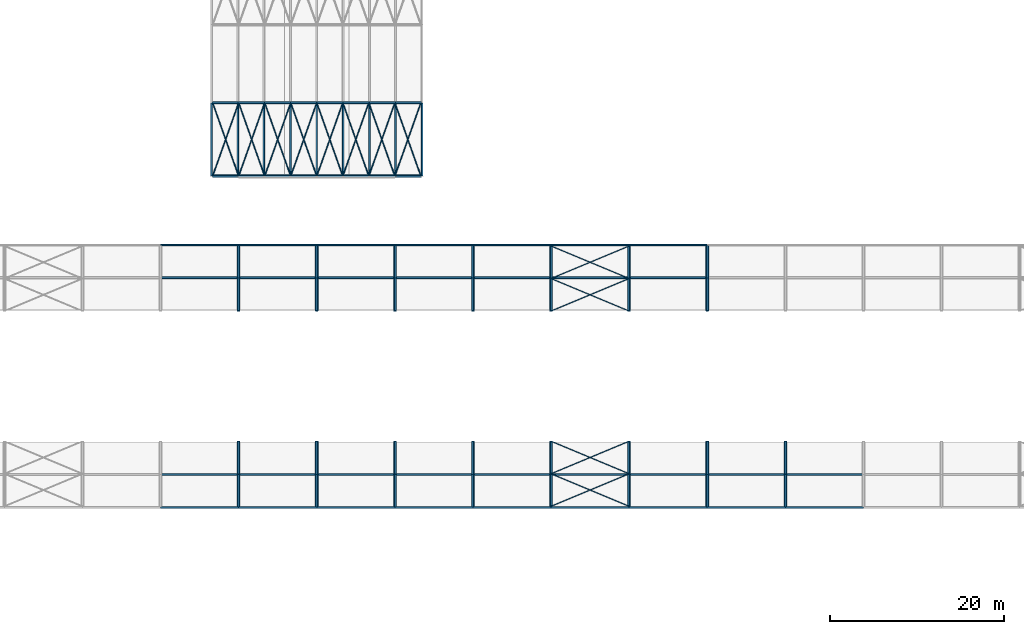
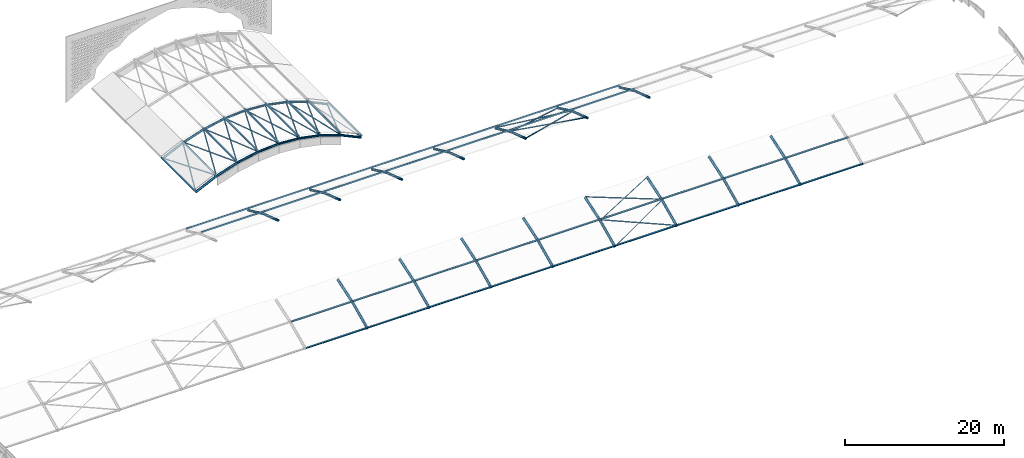
# One storey, part 15 of 54: 111 members.
"""IFC4 building model written with IfcOpenShell, lengths in metres."""

import ifcopenshell
import ifcopenshell.guid

model = None  # the IFC model being written
_history = None  # IfcOwnerHistory: only IFC2X3 demands one
_inside = {}  # id of a spatial element -> (the spatial element, [elements in it])
_under = {}  # id of a project, library or spatial element -> (it, [spatial elements below it])
_declared = {}  # id of a project -> (the project, [libraries it declares])
_typed = {}  # id of a type object -> (the type object, [elements of that type])
_made_of = {}  # id of a material, layer set ... -> (it, [elements and type objects made of it])


def new_model(schema):
    """Start an empty IFC model of exactly this schema.

    Asked for "IFC4X3", IfcOpenShell would pick the latest addendum, in which some entities
    have other attributes; the version numbers below select the first issue.
    IFC2X3 requires an IfcOwnerHistory on every rooted entity: one is made here for all.
    """
    global model, _history
    if schema == "IFC4X3":
        model = ifcopenshell.file(schema_version=(4, 3, 0, 0))
    else:
        model = ifcopenshell.file(schema=schema)
    _inside.clear()
    _under.clear()
    _declared.clear()
    _typed.clear()
    _made_of.clear()
    _history = None
    if model.schema == "IFC2X3":
        org = make("IfcOrganization", Name="unknown")
        user = make(
            "IfcPersonAndOrganization",
            ThePerson=make("IfcPerson", FamilyName="unknown"),
            TheOrganization=org,
        )
        app = make(
            "IfcApplication",
            ApplicationDeveloper=org,
            Version="unknown",
            ApplicationFullName="unknown",
            ApplicationIdentifier="unknown",
        )
        _history = make(
            "IfcOwnerHistory",
            OwningUser=user,
            OwningApplication=app,
            ChangeAction="ADDED",
            CreationDate=0,
        )
    return model


def make(cls, **values):
    """One entity of the class cls with the attributes given. An attribute that is None is left unset."""
    return model.create_entity(
        cls, **{name: value for name, value in values.items() if value is not None}
    )


def rooted(cls, **values):
    """An entity with a GlobalId (a new one), such as an element, a storey or a relation."""
    return make(cls, GlobalId=ifcopenshell.guid.new(), OwnerHistory=_history, **values)


def si_unit(unit_type, name, prefix=None):
    """IfcSIUnit, for example si_unit("LENGTHUNIT", "METRE", prefix="MILLI")."""
    return make("IfcSIUnit", UnitType=unit_type, Prefix=prefix, Name=name)


def assignment(units):
    """IfcUnitAssignment: the units of a project."""
    return None if units is None else make("IfcUnitAssignment", Units=units)


def point(xyz):
    """IfcCartesianPoint."""
    return None if xyz is None else make("IfcCartesianPoint", Coordinates=xyz)


def direction(xyz):
    """IfcDirection."""
    return None if xyz is None else make("IfcDirection", DirectionRatios=xyz)


def frame(location, z_axis=None, x_axis=None):
    """IfcAxis2Placement3D, a coordinate frame: its origin and axes. An axis left out is left unset."""
    return make(
        "IfcAxis2Placement3D",
        Location=point(location),
        Axis=direction(z_axis),
        RefDirection=direction(x_axis),
    )


def frame_2d(location, x_axis=None):
    """IfcAxis2Placement2D, a coordinate frame in the plane: its origin and x axis."""
    return make(
        "IfcAxis2Placement2D", Location=point(location), RefDirection=direction(x_axis)
    )


def origin():
    """The frame at (0, 0, 0) with its axes left unset."""
    return frame((0.0, 0.0, 0.0))


def origin_2d():
    """The frame at (0, 0) in the plane with its x axis left unset."""
    return frame_2d((0.0, 0.0))


def place(relative_to, where):
    """IfcLocalPlacement: puts the frame where relative to a parent placement (None: the world)."""
    return make(
        "IfcLocalPlacement", PlacementRelTo=relative_to, RelativePlacement=where
    )


def context(
    kind, dimensions, precision=None, world=None, true_north=None, identifier=None
):
    """IfcGeometricRepresentationContext, for example the 3D "Model" context."""
    return make(
        "IfcGeometricRepresentationContext",
        ContextIdentifier=identifier,
        ContextType=kind,
        CoordinateSpaceDimension=dimensions,
        Precision=precision,
        WorldCoordinateSystem=world,
        TrueNorth=true_north,
    )


def subcontext(parent, identifier, kind, view, scale=None):
    """IfcGeometricRepresentationSubContext, for example "Body" below "Model"."""
    return make(
        "IfcGeometricRepresentationSubContext",
        ContextIdentifier=identifier,
        ContextType=kind,
        ParentContext=parent,
        TargetScale=scale,
        TargetView=view,
    )


def project(units=None, contexts=None):
    """IfcProject with its units and contexts."""
    return rooted(
        "IfcProject",
        Name="project",
        RepresentationContexts=contexts,
        UnitsInContext=assignment(units),
    )


def spatial(cls, under=None, at=None, **own):
    """A site, building, storey or space (cls), placed at a placement, below another one or the project."""
    s = rooted(cls, ObjectPlacement=at, **own)
    if under is not None:
        _under.setdefault(under.id(), (under, []))[1].append(s)
    return s


def profile(cls, at=None, kind="AREA", **sizes):
    """A parametric profile (cls). Its sizes go by their IFC names, for example OverallWidth=200.0."""
    return make(cls, ProfileType=kind, Position=at, **sizes)


def hollow_rectangle(**sizes):
    """IfcRectangleHollowProfileDef."""
    return profile("IfcRectangleHollowProfileDef", **sizes)


def hollow_circle(**sizes):
    """IfcCircleHollowProfileDef."""
    return profile("IfcCircleHollowProfileDef", **sizes)


def extrude(swept, where, along, depth):
    """IfcExtrudedAreaSolid: the profile swept, set in the frame where, extruded along a direction by depth."""
    return make(
        "IfcExtrudedAreaSolid",
        SweptArea=swept,
        Position=where,
        ExtrudedDirection=direction(along),
        Depth=depth,
    )


def shape(context_of_items, identifier, shape_type, items):
    """IfcShapeRepresentation: the items that make up one representation, for example the "Body"."""
    return make(
        "IfcShapeRepresentation",
        ContextOfItems=context_of_items,
        RepresentationIdentifier=identifier,
        RepresentationType=shape_type,
        Items=items,
    )


def material(Name=None, Category=None):
    """IfcMaterial."""
    return make("IfcMaterial", Name=Name, Category=Category)


def material_profile(
    of_material, cross_section, Name=None, Category=None, Priority=None
):
    """IfcMaterialProfile: a cross section and its material."""
    return make(
        "IfcMaterialProfile",
        Name=Name,
        Material=of_material,
        Profile=cross_section,
        Priority=Priority,
        Category=Category,
    )


def profile_set(profiles, Name=None, composite=None):
    """IfcMaterialProfileSet."""
    return make(
        "IfcMaterialProfileSet",
        Name=Name,
        MaterialProfiles=profiles,
        CompositeProfile=composite,
    )


def made_of(thing, what):
    """Note that an element or type object is made of a material, layer set ...; save() writes the relation."""
    if what is not None:
        _made_of.setdefault(what.id(), (what, []))[1].append(thing)
    return thing


def type_object(cls, material=None, **own):
    """A type object (cls), such as IfcWallType, which elements share."""
    return made_of(rooted(cls, **own), material)


def element(
    cls,
    number,
    at=None,
    inside=None,
    cuts=None,
    type_object=None,
    material=None,
    context=None,
    identifier="Body",
    shape_type=None,
    held_by="IfcProductDefinitionShape",
    body=None,
    shapes=None,
    **own,
):
    """One element of the class cls, such as IfcWall. Its Tag is "e" and its number.

    at: its placement. inside: the storey or other place that contains it. cuts: it is an
    opening in that element (IfcRelVoidsElement). A single representation is given by context,
    identifier, shape_type and body (its items); several are given by shapes. held_by: the class
    of the entity that holds the representations. save() writes the other relations.
    """
    e = rooted(cls, Tag="e%d" % number, ObjectPlacement=at, **own)
    if body is not None:
        shapes = [shape(context, identifier, shape_type, body)]
    if shapes is not None:
        e.Representation = make(held_by, Representations=shapes)
    if inside is not None:
        _inside.setdefault(inside.id(), (inside, []))[1].append(e)
    if cuts is not None:
        rooted(
            "IfcRelVoidsElement", RelatingBuildingElement=cuts, RelatedOpeningElement=e
        )
    if type_object is not None:
        _typed.setdefault(type_object.id(), (type_object, []))[1].append(e)
    return made_of(e, material)


def aggregate(whole, parts):
    """IfcRelAggregates: a whole, such as a stair, and the parts it consists of."""
    return rooted("IfcRelAggregates", RelatingObject=whole, RelatedObjects=parts)


def save(model, path):
    """Write the relations noted so far, then the file.

    IfcRelAggregates (storeys below a building ...), IfcRelContainedInSpatialStructure (elements
    in a storey), IfcRelDefinesByType, IfcRelAssociatesMaterial and IfcRelDeclares: one each for
    every whole, place, type object, material and project.
    """
    for whole, parts in _under.values():
        aggregate(whole, parts)
    for where, things in _inside.values():
        rooted(
            "IfcRelContainedInSpatialStructure",
            RelatedElements=things,
            RelatingStructure=where,
        )
    for kind, things in _typed.values():
        rooted("IfcRelDefinesByType", RelatedObjects=things, RelatingType=kind)
    for what, things in _made_of.values():
        rooted("IfcRelAssociatesMaterial", RelatedObjects=things, RelatingMaterial=what)
    for by, libraries in _declared.values():
        rooted("IfcRelDeclares", RelatingContext=by, RelatedDefinitions=libraries)
    model.write(path)


model = new_model("IFC4")

# Units and contexts
model_context = context("Model", 3, precision=1e-05, world=origin(), true_north=direction((0.0, 1.0)))
body_context = subcontext(model_context, "Body", "Model", "MODEL_VIEW")
ifc_project = project(units=[si_unit("LENGTHUNIT", "METRE"), si_unit("AREAUNIT", "SQUARE_METRE"), si_unit("VOLUMEUNIT", "CUBIC_METRE"), si_unit("PLANEANGLEUNIT", "RADIAN"), si_unit("MASSUNIT", "GRAM", prefix="KILO")], contexts=[model_context])

# Site, building, storey
site_placement = place(None, origin())
site = spatial("IfcSite", under=ifc_project, at=site_placement, CompositionType="ELEMENT")
building_placement = place(site_placement, origin())
building = spatial("IfcBuilding", under=site, at=building_placement, Name="Baradari Gate Terminus", CompositionType="ELEMENT")
storey_placement = place(building_placement, frame((0.0, 0.0, 15.89990234375)))
storey = spatial("IfcBuildingStorey", under=building, at=storey_placement, Name="L03", CompositionType="ELEMENT", Elevation=15.89990234375)

# Members
ifc_material_1 = material(Name="Steel S355", Category="steel")
ifc_material_profile_1 = material_profile(ifc_material_1, hollow_circle(Radius=0.161865234375, WallThickness=0.012451171875, at=origin_2d()), Name="CHS 323.9x12.5")
ifc_profile_set_1 = profile_set([ifc_material_profile_1], Name="Steel S355")
member_type_1 = type_object("IfcMemberType", Name="Hall vault top chord CHS 323.9x12.5", PredefinedType="CHORD", material=ifc_profile_set_1)
member_1_placement = place(storey_placement, frame((141.0, 81.550048828125, -0.07763671875), z_axis=(0.906194443848, 0.0, 0.422861241945), x_axis=(0.0, 1.0, 0.0)))
element("IfcMember", 1, at=member_1_placement, inside=storey, type_object=member_type_1, Name="TR/L03/VT1-TC02", PredefinedType="CHORD", context=body_context, shape_type="SweptSolid", body=[
    extrude(hollow_circle(Radius=0.161865234375, WallThickness=0.012451171875, at=origin_2d()), origin(), (0.0, 0.0, 1.0), 3.310546875),
])
member_2_placement = place(storey_placement, frame((144.0, 81.550048828125, 1.322265625), z_axis=(0.948683298051, 0.0, 0.316227766017), x_axis=(0.0, 1.0, 0.0)))
element("IfcMember", 2, at=member_2_placement, inside=storey, type_object=member_type_1, Name="TR/L03/VT1-TC03", PredefinedType="CHORD", context=body_context, shape_type="SweptSolid", body=[
    extrude(hollow_circle(Radius=0.161865234375, WallThickness=0.012451171875, at=origin_2d()), origin(), (0.0, 0.0, 1.0), 3.162353515625),
])
member_3_placement = place(storey_placement, frame((147.0, 81.550048828125, 2.322265625), z_axis=(0.980574536798, 0.0, 0.196146827104), x_axis=(0.0, 1.0, 0.0)))
element("IfcMember", 3, at=member_3_placement, inside=storey, type_object=member_type_1, Name="TR/L03/VT1-TC04", PredefinedType="CHORD", context=body_context, shape_type="SweptSolid", body=[
    extrude(hollow_circle(Radius=0.161865234375, WallThickness=0.012451171875, at=origin_2d()), origin(), (0.0, 0.0, 1.0), 3.059326171875),
])
for number, where, z_axis, x_axis, name in (
    (4, (150.0, 81.550048828125, 2.92236328125), (0.997786235602, 0.0, 0.066502842363), (0.0, 1.0, 0.0), "TR/L03/VT1-TC05"),
    (5, (153.0, 81.550048828125, 3.122314453125), (0.997786235602, 0.0, -0.066502842363), (0.0, 1.0, 0.0), "TR/L03/VT1-TC06"),
):
    element("IfcMember", number, at=place(storey_placement, frame(where, z_axis=z_axis, x_axis=x_axis)), inside=storey, type_object=member_type_1, Name=name, PredefinedType="CHORD", context=body_context, shape_type="SweptSolid", body=[
        extrude(hollow_circle(Radius=0.161865234375, WallThickness=0.012451171875, at=origin_2d()), origin(), (0.0, 0.0, 1.0), 3.006591796875),
    ])
member_4_placement = place(storey_placement, frame((156.0, 81.550048828125, 2.92236328125), z_axis=(0.980574536798, 0.0, -0.196146827104), x_axis=(0.0, 1.0, 0.0)))
element("IfcMember", 6, at=member_4_placement, inside=storey, type_object=member_type_1, Name="TR/L03/VT1-TC07", PredefinedType="CHORD", context=body_context, shape_type="SweptSolid", body=[
    extrude(hollow_circle(Radius=0.161865234375, WallThickness=0.012451171875, at=origin_2d()), origin(), (0.0, 0.0, 1.0), 3.059326171875),
])
member_5_placement = place(storey_placement, frame((159.0, 81.550048828125, 2.322265625), z_axis=(0.948683298051, 0.0, -0.316227766017), x_axis=(0.0, 1.0, 0.0)))
element("IfcMember", 7, at=member_5_placement, inside=storey, type_object=member_type_1, Name="TR/L03/VT1-TC08", PredefinedType="CHORD", context=body_context, shape_type="SweptSolid", body=[
    extrude(hollow_circle(Radius=0.161865234375, WallThickness=0.012451171875, at=origin_2d()), origin(), (0.0, 0.0, 1.0), 3.162353515625),
])
for number, where, z_axis, x_axis, name in (
    (8, (162.0, 81.550048828125, 1.322265625), (0.906194443848, 0.0, -0.422861241945), (0.0, 1.0, 0.0), "TR/L03/VT1-TC09"),
    (9, (141.0, 90.0, -0.07763671875), (0.906194443848, 0.0, 0.422861241945), (0.0, 1.0, 0.0), "TR/L03/VT2-TC02"),
):
    element("IfcMember", number, at=place(storey_placement, frame(where, z_axis=z_axis, x_axis=x_axis)), inside=storey, type_object=member_type_1, Name=name, PredefinedType="CHORD", context=body_context, shape_type="SweptSolid", body=[
        extrude(hollow_circle(Radius=0.161865234375, WallThickness=0.012451171875, at=origin_2d()), origin(), (0.0, 0.0, 1.0), 3.310546875),
    ])
member_6_placement = place(storey_placement, frame((144.0, 90.0, 1.322265625), z_axis=(0.948683298051, 0.0, 0.316227766017), x_axis=(0.0, 1.0, 0.0)))
element("IfcMember", 10, at=member_6_placement, inside=storey, type_object=member_type_1, Name="TR/L03/VT2-TC03", PredefinedType="CHORD", context=body_context, shape_type="SweptSolid", body=[
    extrude(hollow_circle(Radius=0.161865234375, WallThickness=0.012451171875, at=origin_2d()), origin(), (0.0, 0.0, 1.0), 3.162353515625),
])
member_7_placement = place(storey_placement, frame((147.0, 90.0, 2.322265625), z_axis=(0.980574536798, 0.0, 0.196146827104), x_axis=(0.0, 1.0, 0.0)))
element("IfcMember", 11, at=member_7_placement, inside=storey, type_object=member_type_1, Name="TR/L03/VT2-TC04", PredefinedType="CHORD", context=body_context, shape_type="SweptSolid", body=[
    extrude(hollow_circle(Radius=0.161865234375, WallThickness=0.012451171875, at=origin_2d()), origin(), (0.0, 0.0, 1.0), 3.059326171875),
])
for number, where, z_axis, x_axis, name in (
    (12, (150.0, 90.0, 2.92236328125), (0.997786235602, 0.0, 0.066502842363), (0.0, 1.0, 0.0), "TR/L03/VT2-TC05"),
    (13, (153.0, 90.0, 3.122314453125), (0.997786235602, 0.0, -0.066502842363), (0.0, 1.0, 0.0), "TR/L03/VT2-TC06"),
):
    element("IfcMember", number, at=place(storey_placement, frame(where, z_axis=z_axis, x_axis=x_axis)), inside=storey, type_object=member_type_1, Name=name, PredefinedType="CHORD", context=body_context, shape_type="SweptSolid", body=[
        extrude(hollow_circle(Radius=0.161865234375, WallThickness=0.012451171875, at=origin_2d()), origin(), (0.0, 0.0, 1.0), 3.006591796875),
    ])
member_8_placement = place(storey_placement, frame((156.0, 90.0, 2.92236328125), z_axis=(0.980574536798, 0.0, -0.196146827104), x_axis=(0.0, 1.0, 0.0)))
element("IfcMember", 14, at=member_8_placement, inside=storey, type_object=member_type_1, Name="TR/L03/VT2-TC07", PredefinedType="CHORD", context=body_context, shape_type="SweptSolid", body=[
    extrude(hollow_circle(Radius=0.161865234375, WallThickness=0.012451171875, at=origin_2d()), origin(), (0.0, 0.0, 1.0), 3.059326171875),
])
member_9_placement = place(storey_placement, frame((159.0, 90.0, 2.322265625), z_axis=(0.948683298051, 0.0, -0.316227766017), x_axis=(0.0, 1.0, 0.0)))
element("IfcMember", 15, at=member_9_placement, inside=storey, type_object=member_type_1, Name="TR/L03/VT2-TC08", PredefinedType="CHORD", context=body_context, shape_type="SweptSolid", body=[
    extrude(hollow_circle(Radius=0.161865234375, WallThickness=0.012451171875, at=origin_2d()), origin(), (0.0, 0.0, 1.0), 3.162353515625),
])
member_10_placement = place(storey_placement, frame((162.0, 90.0, 1.322265625), z_axis=(0.906194443848, 0.0, -0.422861241945), x_axis=(0.0, 1.0, 0.0)))
element("IfcMember", 16, at=member_10_placement, inside=storey, type_object=member_type_1, Name="TR/L03/VT2-TC09", PredefinedType="CHORD", context=body_context, shape_type="SweptSolid", body=[
    extrude(hollow_circle(Radius=0.161865234375, WallThickness=0.012451171875, at=origin_2d()), origin(), (0.0, 0.0, 1.0), 3.310546875),
])
ifc_material_2 = material(Name="Steel S355", Category="steel")
ifc_material_profile_2 = material_profile(ifc_material_2, hollow_rectangle(XDim=0.199951171875, YDim=0.199951171875, WallThickness=0.008056640625, InnerFilletRadius=0.008056640625, OuterFilletRadius=0.01611328125, at=origin_2d()), Name="SHS 200x200x8")
ifc_profile_set_2 = profile_set([ifc_material_profile_2], Name="Steel S355")
member_type_2 = type_object("IfcMemberType", Name="Shed purlin SHS 200x200x8", PredefinedType="PURLIN", material=ifc_profile_set_2)
for number, where, z_axis, x_axis, name in (
    (17, (135.0, 43.375244140625, 1.17138671875), (1.0, 0.0, 0.0), (0.0, 0.883026855482, 0.469322461106), "TR/L03/B144-PU02"),
    (18, (135.0, 47.151611328125, 2.93359375), (1.0, 0.0, 0.0), (0.0, 0.928965199535, 0.370167067759), "TR/L03/B144-PU03"),
    (19, (135.0, 69.848388671875, 2.93359375), (1.0, 0.0, 0.0), (0.0, 0.928965199535, -0.370167067759), "TR/L03/B144-PU09"),
    (20, (135.0, 73.624755859375, 1.17138671875), (1.0, 0.0, 0.0), (0.0, 0.883026855482, -0.469322461106), "TR/L03/B144-PU10"),
    (21, (144.0, 43.375244140625, 1.17138671875), (1.0, 0.0, 0.0), (0.0, 0.883026855482, 0.469322461106), "TR/L03/B153-PU02"),
    (22, (144.0, 47.151611328125, 2.93359375), (1.0, 0.0, 0.0), (0.0, 0.928965199535, 0.370167067759), "TR/L03/B153-PU03"),
    (23, (144.0, 69.848388671875, 2.93359375), (1.0, 0.0, 0.0), (0.0, 0.928965199535, -0.370167067759), "TR/L03/B153-PU09"),
    (24, (144.0, 73.624755859375, 1.17138671875), (1.0, 0.0, 0.0), (0.0, 0.883026855482, -0.469322461106), "TR/L03/B153-PU10"),
    (25, (153.0, 43.375244140625, 1.17138671875), (1.0, 0.0, 0.0), (0.0, 0.883026855482, 0.469322461106), "TR/L03/B162-PU02"),
    (26, (153.0, 47.151611328125, 2.93359375), (1.0, 0.0, 0.0), (0.0, 0.928965199535, 0.370167067759), "TR/L03/B162-PU03"),
    (27, (153.0, 69.848388671875, 2.93359375), (1.0, 0.0, 0.0), (0.0, 0.928965199535, -0.370167067759), "TR/L03/B162-PU09"),
    (28, (153.0, 73.624755859375, 1.17138671875), (1.0, 0.0, 0.0), (0.0, 0.883026855482, -0.469322461106), "TR/L03/B162-PU10"),
    (29, (162.0, 43.375244140625, 1.17138671875), (1.0, 0.0, 0.0), (0.0, 0.883026855482, 0.469322461106), "TR/L03/B171-PU02"),
    (30, (162.0, 47.151611328125, 2.93359375), (1.0, 0.0, 0.0), (0.0, 0.928965199535, 0.370167067759), "TR/L03/B171-PU03"),
    (31, (162.0, 69.848388671875, 2.93359375), (1.0, 0.0, 0.0), (0.0, 0.928965199535, -0.370167067759), "TR/L03/B171-PU09"),
    (32, (162.0, 73.624755859375, 1.17138671875), (1.0, 0.0, 0.0), (0.0, 0.883026855482, -0.469322461106), "TR/L03/B171-PU10"),
    (33, (171.0, 43.375244140625, 1.17138671875), (1.0, 0.0, 0.0), (0.0, 0.883026855482, 0.469322461106), "TR/L03/B180-PU02"),
    (34, (171.0, 47.151611328125, 2.93359375), (1.0, 0.0, 0.0), (0.0, 0.928965199535, 0.370167067759), "TR/L03/B180-PU03"),
    (35, (171.0, 69.848388671875, 2.93359375), (1.0, 0.0, 0.0), (0.0, 0.928965199535, -0.370167067759), "TR/L03/B180-PU09"),
    (36, (171.0, 73.624755859375, 1.17138671875), (1.0, 0.0, 0.0), (0.0, 0.883026855482, -0.469322461106), "TR/L03/B180-PU10"),
    (37, (180.0, 43.375244140625, 1.17138671875), (1.0, 0.0, 0.0), (0.0, 0.883026855482, 0.469322461106), "TR/L03/B189-PU02"),
    (38, (180.0, 47.151611328125, 2.93359375), (1.0, 0.0, 0.0), (0.0, 0.928965199535, 0.370167067759), "TR/L03/B189-PU03"),
    (39, (180.0, 69.848388671875, 2.93359375), (1.0, 0.0, 0.0), (0.0, 0.928965199535, -0.370167067759), "TR/L03/B189-PU09"),
    (40, (180.0, 73.624755859375, 1.17138671875), (1.0, 0.0, 0.0), (0.0, 0.883026855482, -0.469322461106), "TR/L03/B189-PU10"),
    (41, (189.0, 43.375244140625, 1.17138671875), (1.0, 0.0, 0.0), (0.0, 0.883026855482, 0.469322461106), "TR/L03/B198-PU02"),
    (42, (189.0, 47.151611328125, 2.93359375), (1.0, 0.0, 0.0), (0.0, 0.928965199535, 0.370167067759), "TR/L03/B198-PU03"),
    (43, (189.0, 69.848388671875, 2.93359375), (1.0, 0.0, 0.0), (0.0, 0.928965199535, -0.370167067759), "TR/L03/B198-PU09"),
    (44, (189.0, 73.624755859375, 1.17138671875), (1.0, 0.0, 0.0), (0.0, 0.883026855482, -0.469322461106), "TR/L03/B198-PU10"),
    (45, (198.0, 43.375244140625, 1.17138671875), (1.0, 0.0, 0.0), (0.0, 0.883026855482, 0.469322461106), "TR/L03/B207-PU02"),
    (46, (198.0, 47.151611328125, 2.93359375), (1.0, 0.0, 0.0), (0.0, 0.928965199535, 0.370167067759), "TR/L03/B207-PU03"),
    (47, (207.0, 43.375244140625, 1.17138671875), (1.0, 0.0, 0.0), (0.0, 0.883026855482, 0.469322461106), "TR/L03/B216-PU02"),
    (48, (207.0, 47.151611328125, 2.93359375), (1.0, 0.0, 0.0), (0.0, 0.928965199535, 0.370167067759), "TR/L03/B216-PU03"),
):
    element("IfcMember", number, at=place(storey_placement, frame(where, z_axis=z_axis, x_axis=x_axis)), inside=storey, type_object=member_type_2, Name=name, PredefinedType="PURLIN", context=body_context, shape_type="SweptSolid", body=[
        extrude(hollow_rectangle(XDim=0.199951171875, YDim=0.199951171875, WallThickness=0.008056640625, InnerFilletRadius=0.008056640625, OuterFilletRadius=0.01611328125, at=origin_2d()), origin(), (0.0, 0.0, 1.0), 9.0),
    ])
for number, where, z_axis, x_axis, name in (
    (49, (140.8828125, 81.550048828125, 0.14306640625), (0.0, 1.0, 0.0), (-0.883026855482, 0.0, -0.469322461106), "TR/L03/VP1-PU02"),
    (50, (143.907470703125, 81.550048828125, 1.554443359375), (0.0, 1.0, 0.0), (-0.928965199535, 0.0, -0.370167067759), "TR/L03/VP1-PU03"),
    (51, (146.935791015625, 81.550048828125, 2.56396484375), (0.0, 1.0, 0.0), (-0.966499648767, 0.0, -0.256667935149), "TR/L03/VP1-PU04"),
    (52, (149.967041015625, 81.550048828125, 3.170166015625), (0.0, 1.0, 0.0), (-0.99130302961, 0.0, -0.131599025396), "TR/L03/VP1-PU05"),
    (53, (153.0, 81.550048828125, 3.372314453125), (0.0, 1.0, 0.0), (-1.0, 0.0, 0.0), "TR/L03/VP1-PU06"),
    (54, (156.032958984375, 81.550048828125, 3.170166015625), (0.0, 1.0, 0.0), (-0.99130302961, 0.0, 0.131599025396), "TR/L03/VP1-PU07"),
    (55, (159.064208984375, 81.550048828125, 2.56396484375), (0.0, 1.0, 0.0), (-0.966499648767, 0.0, 0.256667935149), "TR/L03/VP1-PU08"),
    (56, (162.092529296875, 81.550048828125, 1.554443359375), (0.0, 1.0, 0.0), (-0.928965199535, 0.0, 0.370167067759), "TR/L03/VP1-PU09"),
    (57, (165.1171875, 81.550048828125, 0.14306640625), (0.0, 1.0, 0.0), (-0.883026855482, 0.0, 0.469322461106), "TR/L03/VP1-PU10"),
):
    element("IfcMember", number, at=place(storey_placement, frame(where, z_axis=z_axis, x_axis=x_axis)), inside=storey, type_object=member_type_2, Name=name, PredefinedType="PURLIN", context=body_context, shape_type="SweptSolid", body=[
        extrude(hollow_rectangle(XDim=0.199951171875, YDim=0.199951171875, WallThickness=0.008056640625, InnerFilletRadius=0.008056640625, OuterFilletRadius=0.01611328125, at=origin_2d()), origin(), (0.0, 0.0, 1.0), 8.449951171875),
    ])
ifc_material_3 = material(Name="Steel S355", Category="steel")
ifc_material_profile_3 = material_profile(ifc_material_3, hollow_circle(Radius=0.05712890625, WallThickness=0.00634765625, at=origin_2d()), Name="CHS 114.3x6.3")
ifc_profile_set_3 = profile_set([ifc_material_profile_3], Name="Steel S355")
member_type_3 = type_object("IfcMemberType", Name="Shed roof brace CHS 114.3x6.3", PredefinedType="BRACE", material=ifc_profile_set_3)
for number, where, z_axis, x_axis, name in (
    (58, (180.0, 43.5, 0.9365234375), (0.908558037225, 0.378565848844, 0.176664062794), (-0.384615384615, 0.923076923077, 0.0), "TR/L03/B189-RB02A"),
    (59, (189.0, 43.5, 1.05078125), (-0.908558037225, 0.378565848844, 0.176664062794), (-0.384615384615, -0.923076923077, 0.0), "TR/L03/B189-RB02B"),
):
    element("IfcMember", number, at=place(storey_placement, frame(where, z_axis=z_axis, x_axis=x_axis)), inside=storey, type_object=member_type_3, Name=name, PredefinedType="BRACE", context=body_context, shape_type="SweptSolid", body=[
        extrude(hollow_circle(Radius=0.05712890625, WallThickness=0.00634765625, at=origin_2d()), origin(), (0.0, 0.0, 1.0), 9.90576171875),
    ])
for number, where, z_axis, x_axis, name in (
    (60, (180.0, 47.25, 2.6865234375), (0.915583075095, 0.381492947956, 0.127164315985), (-0.384615384615, 0.923076923077, 0.0), "TR/L03/B189-RB03A"),
    (61, (189.0, 47.25, 2.80078125), (-0.915583075095, 0.381492947956, 0.127164315985), (-0.384615384615, -0.923076923077, 0.0), "TR/L03/B189-RB03B"),
    (62, (180.0, 66.0, 3.9365234375), (0.915583075095, 0.381492947956, -0.127164315985), (-0.384615384615, 0.923076923077, 0.0), "TR/L03/B189-RB08A"),
    (63, (189.0, 66.0, 4.05078125), (-0.915583075095, 0.381492947956, -0.127164315985), (-0.384615384615, -0.923076923077, 0.0), "TR/L03/B189-RB08B"),
):
    element("IfcMember", number, at=place(storey_placement, frame(where, z_axis=z_axis, x_axis=x_axis)), inside=storey, type_object=member_type_3, Name=name, PredefinedType="BRACE", context=body_context, shape_type="SweptSolid", body=[
        extrude(hollow_circle(Radius=0.05712890625, WallThickness=0.00634765625, at=origin_2d()), origin(), (0.0, 0.0, 1.0), 9.829833984375),
    ])
for number, where, z_axis, x_axis, name in (
    (64, (180.0, 69.75, 2.6865234375), (0.908558037225, 0.378565848844, -0.176664062794), (-0.384615384615, 0.923076923077, 0.0), "TR/L03/B189-RB09A"),
    (65, (189.0, 69.75, 2.80078125), (-0.908558037225, 0.378565848844, -0.176664062794), (-0.384615384615, -0.923076923077, 0.0), "TR/L03/B189-RB09B"),
):
    element("IfcMember", number, at=place(storey_placement, frame(where, z_axis=z_axis, x_axis=x_axis)), inside=storey, type_object=member_type_3, Name=name, PredefinedType="BRACE", context=body_context, shape_type="SweptSolid", body=[
        extrude(hollow_circle(Radius=0.05712890625, WallThickness=0.00634765625, at=origin_2d()), origin(), (0.0, 0.0, 1.0), 9.90576171875),
    ])
for number, where, z_axis, x_axis, name in (
    (66, (141.0, 81.550048828125, -0.07763671875), (0.330566919707, 0.931091443521, 0.154253801888), (-0.942370433144, 0.334571317861, 0.0), "TR/L03/VPB1-RB02A"),
    (67, (144.0, 81.550048828125, 1.436767578125), (-0.330565547851, 0.931087579482, -0.154280063226), (-0.942370433144, -0.334571317861, 0.0), "TR/L03/VPB1-RB02B"),
):
    element("IfcMember", number, at=place(storey_placement, frame(where, z_axis=z_axis, x_axis=x_axis)), inside=storey, type_object=member_type_3, Name=name, PredefinedType="BRACE", context=body_context, shape_type="SweptSolid", body=[
        extrude(hollow_circle(Radius=0.05712890625, WallThickness=0.00634765625, at=origin_2d()), origin(), (0.0, 0.0, 1.0), 9.075439453125),
    ])
for number, where, z_axis, x_axis, name in (
    (68, (144.0, 81.550048828125, 1.322265625), (0.332509903209, 0.93656414876, 0.110836634403), (-0.942370433144, 0.334571317861, 0.0), "TR/L03/VPB1-RB03A"),
    (69, (147.0, 81.550048828125, 2.436767578125), (-0.332509903209, 0.93656414876, -0.110836634403), (-0.942370433144, -0.334571317861, 0.0), "TR/L03/VPB1-RB03B"),
):
    element("IfcMember", number, at=place(storey_placement, frame(where, z_axis=z_axis, x_axis=x_axis)), inside=storey, type_object=member_type_3, Name=name, PredefinedType="BRACE", context=body_context, shape_type="SweptSolid", body=[
        extrude(hollow_circle(Radius=0.05712890625, WallThickness=0.00634765625, at=origin_2d()), origin(), (0.0, 0.0, 1.0), 9.022216796875),
    ])
for number, where, z_axis, x_axis, name in (
    (70, (147.0, 81.550048828125, 2.322265625), (0.333824556966, 0.940267068778, 0.066775778078), (-0.942370433144, 0.334571317861, 0.0), "TR/L03/VPB1-RB04A"),
    (71, (150.0, 81.550048828125, 3.03662109375), (-0.333825162428, 0.940268774154, -0.066748732429), (-0.942370433144, -0.334571317861, 0.0), "TR/L03/VPB1-RB04B"),
):
    element("IfcMember", number, at=place(storey_placement, frame(where, z_axis=z_axis, x_axis=x_axis)), inside=storey, type_object=member_type_3, Name=name, PredefinedType="BRACE", context=body_context, shape_type="SweptSolid", body=[
        extrude(hollow_circle(Radius=0.05712890625, WallThickness=0.00634765625, at=origin_2d()), origin(), (0.0, 0.0, 1.0), 8.98681640625),
    ])
for number, where, z_axis, x_axis, name in (
    (72, (150.0, 81.550048828125, 2.92236328125), (0.334488164541, 0.942136219314, 0.022293766826), (-0.942370433144, 0.334571317861, 0.0), "TR/L03/VPB1-RB05A"),
    (73, (153.0, 81.550048828125, 3.236572265625), (-0.334488164541, 0.942136219314, -0.022293766826), (-0.942370433144, -0.334571317861, 0.0), "TR/L03/VPB1-RB05B"),
    (74, (153.0, 81.550048828125, 3.122314453125), (0.334488164541, 0.942136219314, -0.022293766826), (-0.942370433144, 0.334571317861, 0.0), "TR/L03/VPB1-RB06A"),
    (75, (156.0, 81.550048828125, 3.03662109375), (-0.334488164541, 0.942136219314, 0.022293766826), (-0.942370433144, -0.334571317861, 0.0), "TR/L03/VPB1-RB06B"),
):
    element("IfcMember", number, at=place(storey_placement, frame(where, z_axis=z_axis, x_axis=x_axis)), inside=storey, type_object=member_type_3, Name=name, PredefinedType="BRACE", context=body_context, shape_type="SweptSolid", body=[
        extrude(hollow_circle(Radius=0.05712890625, WallThickness=0.00634765625, at=origin_2d()), origin(), (0.0, 0.0, 1.0), 8.968994140625),
    ])
for number, where, z_axis, x_axis, name in (
    (76, (156.0, 81.550048828125, 2.92236328125), (0.333824556966, 0.940267068778, -0.066775778078), (-0.942370433144, 0.334571317861, 0.0), "TR/L03/VPB1-RB07A"),
    (77, (159.0, 81.550048828125, 2.436767578125), (-0.333825162428, 0.940268774154, 0.066748732429), (-0.942370433144, -0.334571317861, 0.0), "TR/L03/VPB1-RB07B"),
):
    element("IfcMember", number, at=place(storey_placement, frame(where, z_axis=z_axis, x_axis=x_axis)), inside=storey, type_object=member_type_3, Name=name, PredefinedType="BRACE", context=body_context, shape_type="SweptSolid", body=[
        extrude(hollow_circle(Radius=0.05712890625, WallThickness=0.00634765625, at=origin_2d()), origin(), (0.0, 0.0, 1.0), 8.98681640625),
    ])
for number, where, z_axis, x_axis, name in (
    (78, (159.0, 81.550048828125, 2.322265625), (0.332509903209, 0.93656414876, -0.110836634403), (-0.942370433144, 0.334571317861, 0.0), "TR/L03/VPB1-RB08A"),
    (79, (162.0, 81.550048828125, 1.436767578125), (-0.332509903209, 0.93656414876, 0.110836634403), (-0.942370433144, -0.334571317861, 0.0), "TR/L03/VPB1-RB08B"),
):
    element("IfcMember", number, at=place(storey_placement, frame(where, z_axis=z_axis, x_axis=x_axis)), inside=storey, type_object=member_type_3, Name=name, PredefinedType="BRACE", context=body_context, shape_type="SweptSolid", body=[
        extrude(hollow_circle(Radius=0.05712890625, WallThickness=0.00634765625, at=origin_2d()), origin(), (0.0, 0.0, 1.0), 9.022216796875),
    ])
for number, where, z_axis, x_axis, name in (
    (80, (162.0, 81.550048828125, 1.322265625), (0.330566919707, 0.931091443521, -0.154253801888), (-0.942370433144, 0.334571317861, 0.0), "TR/L03/VPB1-RB09A"),
    (81, (165.0, 81.550048828125, 0.03662109375), (-0.330565547851, 0.931087579482, 0.154280063226), (-0.942370433144, -0.334571317861, 0.0), "TR/L03/VPB1-RB09B"),
):
    element("IfcMember", number, at=place(storey_placement, frame(where, z_axis=z_axis, x_axis=x_axis)), inside=storey, type_object=member_type_3, Name=name, PredefinedType="BRACE", context=body_context, shape_type="SweptSolid", body=[
        extrude(hollow_circle(Radius=0.05712890625, WallThickness=0.00634765625, at=origin_2d()), origin(), (0.0, 0.0, 1.0), 9.075439453125),
    ])
ifc_material_4 = material(Name="Steel S355", Category="steel")
ifc_material_profile_4 = material_profile(ifc_material_4, hollow_circle(Radius=0.177734375, WallThickness=0.01611328125, at=origin_2d()), Name="CHS 355.6x16")
ifc_profile_set_4 = profile_set([ifc_material_profile_4], Name="Steel S355")
member_type_4 = type_object("IfcMemberType", Name="Shed top chord CHS 355.6x16", PredefinedType="CHORD", material=ifc_profile_set_4)
member_11_placement = place(storey_placement, frame((144.0, 43.5, 0.9365234375), z_axis=(0.0, 0.906183139995, 0.422885465331), x_axis=(-1.0, 0.0, 0.0)))
element("IfcMember", 82, at=member_11_placement, inside=storey, type_object=member_type_4, Name="TR/L03/S144-TC02", PredefinedType="CHORD", context=body_context, shape_type="SweptSolid", body=[
    extrude(hollow_circle(Radius=0.177734375, WallThickness=0.01611328125, at=origin_2d()), origin(), (0.0, 0.0, 1.0), 4.13818359375),
])
for number, where, z_axis, x_axis, name in (
    (83, (144.0, 47.25, 2.6865234375), (0.0, 0.948683298051, 0.316227766017), (-1.0, 0.0, 0.0), "TR/L03/S144-TC03"),
    (84, (144.0, 66.0, 3.9365234375), (0.0, 0.948683298051, -0.316227766017), (-1.0, 0.0, 0.0), "TR/L03/S144-TC08"),
):
    element("IfcMember", number, at=place(storey_placement, frame(where, z_axis=z_axis, x_axis=x_axis)), inside=storey, type_object=member_type_4, Name=name, PredefinedType="CHORD", context=body_context, shape_type="SweptSolid", body=[
        extrude(hollow_circle(Radius=0.177734375, WallThickness=0.01611328125, at=origin_2d()), origin(), (0.0, 0.0, 1.0), 3.952880859375),
    ])
for number, where, z_axis, x_axis, name in (
    (85, (144.0, 69.75, 2.6865234375), (0.0, 0.906183139995, -0.422885465331), (-1.0, 0.0, 0.0), "TR/L03/S144-TC09"),
    (86, (153.0, 43.5, 0.9365234375), (0.0, 0.906183139995, 0.422885465331), (-1.0, 0.0, 0.0), "TR/L03/S153-TC02"),
):
    element("IfcMember", number, at=place(storey_placement, frame(where, z_axis=z_axis, x_axis=x_axis)), inside=storey, type_object=member_type_4, Name=name, PredefinedType="CHORD", context=body_context, shape_type="SweptSolid", body=[
        extrude(hollow_circle(Radius=0.177734375, WallThickness=0.01611328125, at=origin_2d()), origin(), (0.0, 0.0, 1.0), 4.13818359375),
    ])
for number, where, z_axis, x_axis, name in (
    (87, (153.0, 47.25, 2.6865234375), (0.0, 0.948683298051, 0.316227766017), (-1.0, 0.0, 0.0), "TR/L03/S153-TC03"),
    (88, (153.0, 66.0, 3.9365234375), (0.0, 0.948683298051, -0.316227766017), (-1.0, 0.0, 0.0), "TR/L03/S153-TC08"),
):
    element("IfcMember", number, at=place(storey_placement, frame(where, z_axis=z_axis, x_axis=x_axis)), inside=storey, type_object=member_type_4, Name=name, PredefinedType="CHORD", context=body_context, shape_type="SweptSolid", body=[
        extrude(hollow_circle(Radius=0.177734375, WallThickness=0.01611328125, at=origin_2d()), origin(), (0.0, 0.0, 1.0), 3.952880859375),
    ])
for number, where, z_axis, x_axis, name in (
    (89, (153.0, 69.75, 2.6865234375), (0.0, 0.906183139995, -0.422885465331), (-1.0, 0.0, 0.0), "TR/L03/S153-TC09"),
    (90, (162.0, 43.5, 0.9365234375), (0.0, 0.906183139995, 0.422885465331), (-1.0, 0.0, 0.0), "TR/L03/S162-TC02"),
):
    element("IfcMember", number, at=place(storey_placement, frame(where, z_axis=z_axis, x_axis=x_axis)), inside=storey, type_object=member_type_4, Name=name, PredefinedType="CHORD", context=body_context, shape_type="SweptSolid", body=[
        extrude(hollow_circle(Radius=0.177734375, WallThickness=0.01611328125, at=origin_2d()), origin(), (0.0, 0.0, 1.0), 4.13818359375),
    ])
for number, where, z_axis, x_axis, name in (
    (91, (162.0, 47.25, 2.6865234375), (0.0, 0.948683298051, 0.316227766017), (-1.0, 0.0, 0.0), "TR/L03/S162-TC03"),
    (92, (162.0, 66.0, 3.9365234375), (0.0, 0.948683298051, -0.316227766017), (-1.0, 0.0, 0.0), "TR/L03/S162-TC08"),
):
    element("IfcMember", number, at=place(storey_placement, frame(where, z_axis=z_axis, x_axis=x_axis)), inside=storey, type_object=member_type_4, Name=name, PredefinedType="CHORD", context=body_context, shape_type="SweptSolid", body=[
        extrude(hollow_circle(Radius=0.177734375, WallThickness=0.01611328125, at=origin_2d()), origin(), (0.0, 0.0, 1.0), 3.952880859375),
    ])
for number, where, z_axis, x_axis, name in (
    (93, (162.0, 69.75, 2.6865234375), (0.0, 0.906183139995, -0.422885465331), (-1.0, 0.0, 0.0), "TR/L03/S162-TC09"),
    (94, (171.0, 43.5, 0.9365234375), (0.0, 0.906183139995, 0.422885465331), (-1.0, 0.0, 0.0), "TR/L03/S171-TC02"),
):
    element("IfcMember", number, at=place(storey_placement, frame(where, z_axis=z_axis, x_axis=x_axis)), inside=storey, type_object=member_type_4, Name=name, PredefinedType="CHORD", context=body_context, shape_type="SweptSolid", body=[
        extrude(hollow_circle(Radius=0.177734375, WallThickness=0.01611328125, at=origin_2d()), origin(), (0.0, 0.0, 1.0), 4.13818359375),
    ])
for number, where, z_axis, x_axis, name in (
    (95, (171.0, 47.25, 2.6865234375), (0.0, 0.948683298051, 0.316227766017), (-1.0, 0.0, 0.0), "TR/L03/S171-TC03"),
    (96, (171.0, 66.0, 3.9365234375), (0.0, 0.948683298051, -0.316227766017), (-1.0, 0.0, 0.0), "TR/L03/S171-TC08"),
):
    element("IfcMember", number, at=place(storey_placement, frame(where, z_axis=z_axis, x_axis=x_axis)), inside=storey, type_object=member_type_4, Name=name, PredefinedType="CHORD", context=body_context, shape_type="SweptSolid", body=[
        extrude(hollow_circle(Radius=0.177734375, WallThickness=0.01611328125, at=origin_2d()), origin(), (0.0, 0.0, 1.0), 3.952880859375),
    ])
for number, where, z_axis, x_axis, name in (
    (97, (171.0, 69.75, 2.6865234375), (0.0, 0.906183139995, -0.422885465331), (-1.0, 0.0, 0.0), "TR/L03/S171-TC09"),
    (98, (180.0, 43.5, 0.9365234375), (0.0, 0.906183139995, 0.422885465331), (-1.0, 0.0, 0.0), "TR/L03/S180-TC02"),
):
    element("IfcMember", number, at=place(storey_placement, frame(where, z_axis=z_axis, x_axis=x_axis)), inside=storey, type_object=member_type_4, Name=name, PredefinedType="CHORD", context=body_context, shape_type="SweptSolid", body=[
        extrude(hollow_circle(Radius=0.177734375, WallThickness=0.01611328125, at=origin_2d()), origin(), (0.0, 0.0, 1.0), 4.13818359375),
    ])
for number, where, z_axis, x_axis, name in (
    (99, (180.0, 47.25, 2.6865234375), (0.0, 0.948683298051, 0.316227766017), (-1.0, 0.0, 0.0), "TR/L03/S180-TC03"),
    (100, (180.0, 66.0, 3.9365234375), (0.0, 0.948683298051, -0.316227766017), (-1.0, 0.0, 0.0), "TR/L03/S180-TC08"),
):
    element("IfcMember", number, at=place(storey_placement, frame(where, z_axis=z_axis, x_axis=x_axis)), inside=storey, type_object=member_type_4, Name=name, PredefinedType="CHORD", context=body_context, shape_type="SweptSolid", body=[
        extrude(hollow_circle(Radius=0.177734375, WallThickness=0.01611328125, at=origin_2d()), origin(), (0.0, 0.0, 1.0), 3.952880859375),
    ])
for number, where, z_axis, x_axis, name in (
    (101, (180.0, 69.75, 2.6865234375), (0.0, 0.906183139995, -0.422885465331), (-1.0, 0.0, 0.0), "TR/L03/S180-TC09"),
    (102, (189.0, 43.5, 0.9365234375), (0.0, 0.906183139995, 0.422885465331), (-1.0, 0.0, 0.0), "TR/L03/S189-TC02"),
):
    element("IfcMember", number, at=place(storey_placement, frame(where, z_axis=z_axis, x_axis=x_axis)), inside=storey, type_object=member_type_4, Name=name, PredefinedType="CHORD", context=body_context, shape_type="SweptSolid", body=[
        extrude(hollow_circle(Radius=0.177734375, WallThickness=0.01611328125, at=origin_2d()), origin(), (0.0, 0.0, 1.0), 4.13818359375),
    ])
for number, where, z_axis, x_axis, name in (
    (103, (189.0, 47.25, 2.6865234375), (0.0, 0.948683298051, 0.316227766017), (-1.0, 0.0, 0.0), "TR/L03/S189-TC03"),
    (104, (189.0, 66.0, 3.9365234375), (0.0, 0.948683298051, -0.316227766017), (-1.0, 0.0, 0.0), "TR/L03/S189-TC08"),
):
    element("IfcMember", number, at=place(storey_placement, frame(where, z_axis=z_axis, x_axis=x_axis)), inside=storey, type_object=member_type_4, Name=name, PredefinedType="CHORD", context=body_context, shape_type="SweptSolid", body=[
        extrude(hollow_circle(Radius=0.177734375, WallThickness=0.01611328125, at=origin_2d()), origin(), (0.0, 0.0, 1.0), 3.952880859375),
    ])
for number, where, z_axis, x_axis, name in (
    (105, (189.0, 69.75, 2.6865234375), (0.0, 0.906183139995, -0.422885465331), (-1.0, 0.0, 0.0), "TR/L03/S189-TC09"),
    (106, (198.0, 43.5, 0.9365234375), (0.0, 0.906183139995, 0.422885465331), (-1.0, 0.0, 0.0), "TR/L03/S198-TC02"),
):
    element("IfcMember", number, at=place(storey_placement, frame(where, z_axis=z_axis, x_axis=x_axis)), inside=storey, type_object=member_type_4, Name=name, PredefinedType="CHORD", context=body_context, shape_type="SweptSolid", body=[
        extrude(hollow_circle(Radius=0.177734375, WallThickness=0.01611328125, at=origin_2d()), origin(), (0.0, 0.0, 1.0), 4.13818359375),
    ])
for number, where, z_axis, x_axis, name in (
    (107, (198.0, 47.25, 2.6865234375), (0.0, 0.948683298051, 0.316227766017), (-1.0, 0.0, 0.0), "TR/L03/S198-TC03"),
    (108, (198.0, 66.0, 3.9365234375), (0.0, 0.948683298051, -0.316227766017), (-1.0, 0.0, 0.0), "TR/L03/S198-TC08"),
):
    element("IfcMember", number, at=place(storey_placement, frame(where, z_axis=z_axis, x_axis=x_axis)), inside=storey, type_object=member_type_4, Name=name, PredefinedType="CHORD", context=body_context, shape_type="SweptSolid", body=[
        extrude(hollow_circle(Radius=0.177734375, WallThickness=0.01611328125, at=origin_2d()), origin(), (0.0, 0.0, 1.0), 3.952880859375),
    ])
for number, where, z_axis, x_axis, name in (
    (109, (198.0, 69.75, 2.6865234375), (0.0, 0.906183139995, -0.422885465331), (-1.0, 0.0, 0.0), "TR/L03/S198-TC09"),
    (110, (207.0, 43.5, 0.9365234375), (0.0, 0.906183139995, 0.422885465331), (-1.0, 0.0, 0.0), "TR/L03/S207-TC02"),
):
    element("IfcMember", number, at=place(storey_placement, frame(where, z_axis=z_axis, x_axis=x_axis)), inside=storey, type_object=member_type_4, Name=name, PredefinedType="CHORD", context=body_context, shape_type="SweptSolid", body=[
        extrude(hollow_circle(Radius=0.177734375, WallThickness=0.01611328125, at=origin_2d()), origin(), (0.0, 0.0, 1.0), 4.13818359375),
    ])
member_12_placement = place(storey_placement, frame((207.0, 47.25, 2.6865234375), z_axis=(0.0, 0.948683298051, 0.316227766017), x_axis=(-1.0, 0.0, 0.0)))
element("IfcMember", 111, at=member_12_placement, inside=storey, type_object=member_type_4, Name="TR/L03/S207-TC03", PredefinedType="CHORD", context=body_context, shape_type="SweptSolid", body=[
    extrude(hollow_circle(Radius=0.177734375, WallThickness=0.01611328125, at=origin_2d()), origin(), (0.0, 0.0, 1.0), 3.952880859375),
])

save(model, "model.ifc")
